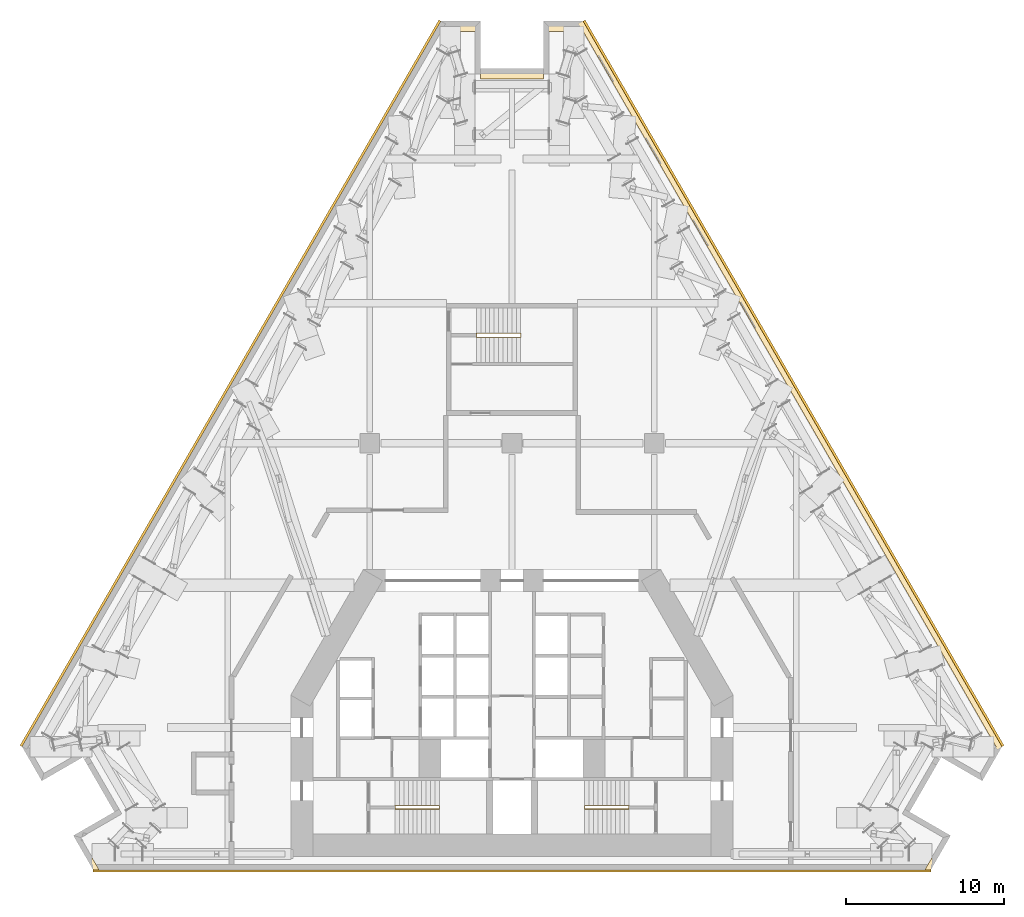
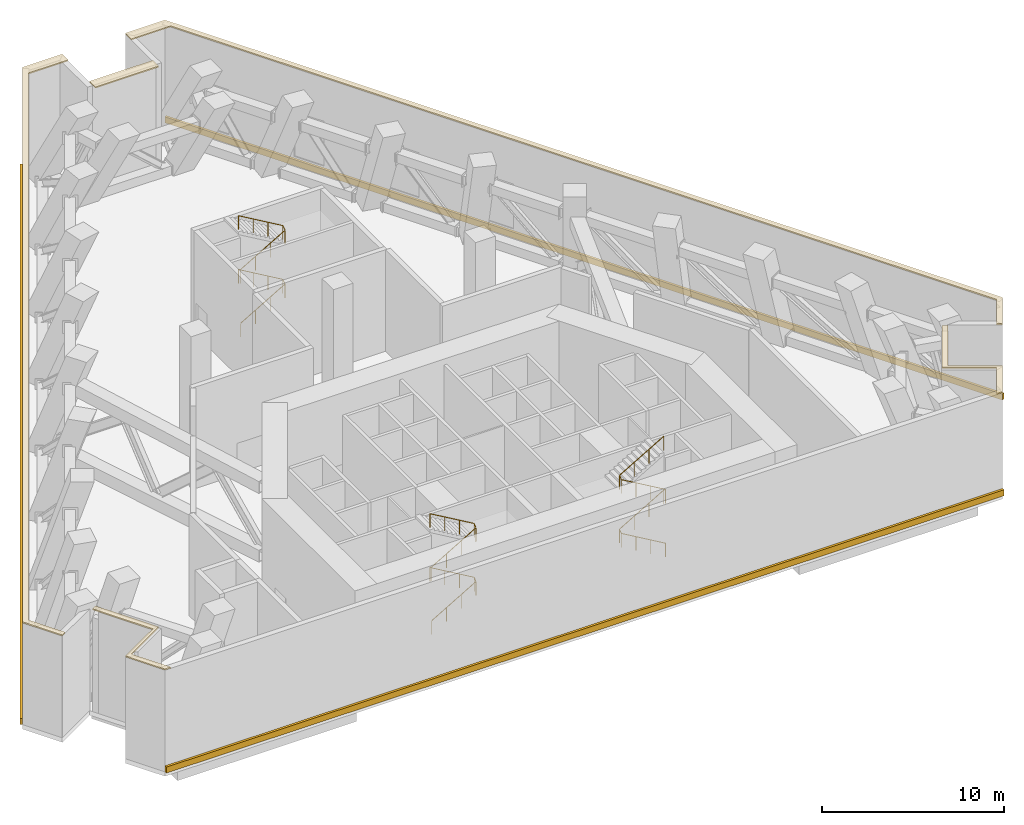
# One storey, part 12 of 12: 8 coverings, 3 railings.
"""IFC4 building model written with IfcOpenShell, lengths in metres."""

from ifc_helpers import new_model, si_unit, direction, frame, origin, origin_2d, place, context, subcontext, project, spatial, polyline, circle, outline, extrude, material, layer, layer_set, type_object, element, save


model = new_model("IFC4")

# Units and contexts
model_context = context("Model", 3, precision=1e-05, world=origin(), true_north=direction((0.0, 1.0)))
body_context = subcontext(model_context, "Body", "Model", "MODEL_VIEW")
ifc_project = project(units=[si_unit("LENGTHUNIT", "METRE"), si_unit("AREAUNIT", "SQUARE_METRE"), si_unit("VOLUMEUNIT", "CUBIC_METRE"), si_unit("PLANEANGLEUNIT", "RADIAN"), si_unit("MASSUNIT", "GRAM", prefix="KILO")], contexts=[model_context])

# Site, building, storey
site_placement = place(None, origin())
site = spatial("IfcSite", under=ifc_project, at=site_placement, CompositionType="ELEMENT")
building_placement = place(site_placement, origin())
building = spatial("IfcBuilding", under=site, at=building_placement, Name="Fogline Exchange Tower", CompositionType="ELEMENT")
storey_placement = place(building_placement, frame((0.0, 0.0, 88.89990234375)))
storey = spatial("IfcBuildingStorey", under=building, at=storey_placement, Name="L19", CompositionType="ELEMENT", Elevation=88.89990234375)

# Coverings
ifc_material_1 = material(Name="Granite", Category="masonry")
ifc_layer = layer(ifc_material_1, 0.080078125)
ifc_layer_set = layer_set([ifc_layer], Name="CP1")
covering_type_1 = type_object("IfcCoveringType", Name="CP1", PredefinedType="USERDEFINED", material=ifc_layer_set)
covering_1_placement = place(storey_placement, frame((0.0, 0.0, 6.800048828125)))
element("IfcCovering", 1, at=covering_1_placement, inside=storey, type_object=covering_type_1, Name="Ledge coping L19", ObjectType="COPING", PredefinedType="USERDEFINED", context=body_context, shape_type="SweptSolid", body=[
    extrude(outline(polyline([(-29.760498046875, 5.629150390625), (-29.481201171875, 5.790283203125), (-30.637939453125, 7.794189453125), (-4.5, 53.066650390625), (-2.0, 53.066650390625), (-2.0, 53.711669921875), (-4.5, 53.711669921875), (-31.010498046875, 7.794189453125), (-29.760498046875, 5.629150390625)])), origin(), (0.0, 0.0, 1.0), 0.080078125),
])
covering_2_placement = place(storey_placement, frame((0.0, 0.0, 6.800048828125)))
element("IfcCovering", 2, at=covering_2_placement, inside=storey, type_object=covering_type_1, Name="Ledge coping L19", ObjectType="COPING", PredefinedType="USERDEFINED", context=body_context, shape_type="SweptSolid", body=[
    extrude(outline(polyline([(-26.510498046875, 0.0), (-26.137939453125, 0.0), (-27.387939453125, 2.1650390625), (-24.7900390625, 3.6650390625), (-26.7900390625, 7.129150390625), (-27.0693359375, 6.968017578125), (-25.162353515625, 3.6650390625), (-27.760498046875, 2.1650390625), (-26.510498046875, 0.0)])), origin(), (0.0, 0.0, 1.0), 0.080078125),
])
covering_3_placement = place(storey_placement, frame((0.0, 0.0, 6.800048828125)))
element("IfcCovering", 3, at=covering_3_placement, inside=storey, type_object=covering_type_1, Name="Ledge coping L19", ObjectType="COPING", PredefinedType="USERDEFINED", context=body_context, shape_type="SweptSolid", body=[
    extrude(outline(polyline([(25.162353515625, 3.6650390625), (27.0693359375, 6.968017578125), (26.7900390625, 7.129150390625), (24.7900390625, 3.6650390625), (27.387939453125, 2.1650390625), (26.137939453125, 0.0), (26.510498046875, 0.0), (27.760498046875, 2.1650390625), (25.162353515625, 3.6650390625)])), origin(), (0.0, 0.0, 1.0), 0.080078125),
])
covering_4_placement = place(storey_placement, frame((0.0, 0.0, 6.800048828125)))
element("IfcCovering", 4, at=covering_4_placement, inside=storey, type_object=covering_type_1, Name="Ledge coping L19", ObjectType="COPING", PredefinedType="USERDEFINED", context=body_context, shape_type="SweptSolid", body=[
    extrude(outline(polyline([(2.0, 53.711669921875), (2.0, 53.066650390625), (4.5, 53.066650390625), (30.637939453125, 7.794189453125), (29.481201171875, 5.790283203125), (29.760498046875, 5.629150390625), (31.010498046875, 7.794189453125), (4.5, 53.711669921875), (2.0, 53.711669921875)])), origin(), (0.0, 0.0, 1.0), 0.080078125),
])
covering_5_placement = place(storey_placement, frame((0.0, 0.0, 6.800048828125)))
element("IfcCovering", 5, at=covering_5_placement, inside=storey, type_object=covering_type_1, Name="Ledge coping L19", ObjectType="COPING", PredefinedType="USERDEFINED", context=body_context, shape_type="SweptSolid", body=[
    extrude(outline(polyline([(2.0, 50.711669921875), (-2.0, 50.711669921875), (-2.0, 50.066650390625), (2.0, 50.066650390625), (2.0, 50.711669921875)])), origin(), (0.0, 0.0, 1.0), 0.080078125),
])

# Railings
ifc_material_2 = material(Name="Steel Q235B", Category="steel")
railing_type = type_object("IfcRailingType", Name="RL-HR", PredefinedType="HANDRAIL", material=ifc_material_2)
railing_1_placement = place(storey_placement, frame((-7.39990234375, 3.85009765625, 0.163818359375)))
element("IfcRailing", 6, at=railing_1_placement, inside=storey, type_object=railing_type, Name="Handrail ST1", PredefinedType="HANDRAIL", context=body_context, shape_type="SweptSolid", body=[
    extrude(circle(Radius=0.02392578125, at=origin_2d()), frame((0.0, 0.0, 0.92578125), z_axis=(0.863374499697, 0.0, 0.504563646405), x_axis=(0.0, 1.0, 0.0)), (0.0, 0.0, 1.0), 3.242919921875),
    extrude(circle(Radius=0.02392578125, at=origin_2d()), frame((2.7998046875, 0.0, 2.56201171875), z_axis=(0.0, 0.773999403868, 0.633186325509), x_axis=(-1.0, 0.0, 0.0)), (0.0, 0.0, 1.0), 0.25830078125),
    extrude(circle(Radius=0.02392578125, at=origin_2d()), frame((2.7998046875, 0.199951171875, 2.7255859375), z_axis=(-0.863341702679, 0.0, 0.504619762213), x_axis=(0.0, -1.0, 0.0)), (0.0, 0.0, 1.0), 3.242919921875),
    extrude(circle(Radius=0.02392578125, at=origin_2d()), frame((0.0, 0.199951171875, 4.3623046875), z_axis=(0.0, -0.773999403868, 0.633186325509), x_axis=(1.0, 0.0, 0.0)), (0.0, 0.0, 1.0), 0.25830078125),
    extrude(circle(Radius=0.02392578125, at=origin_2d()), frame((0.0, 0.0, 4.52587890625), z_axis=(0.863341702679, 0.0, 0.504619762213), x_axis=(0.0, 1.0, 0.0)), (0.0, 0.0, 1.0), 3.242919921875),
    extrude(circle(Radius=0.02392578125, at=origin_2d()), frame((2.7998046875, 0.0, 6.162109375), z_axis=(0.0, 0.773999403868, 0.633186325509), x_axis=(-1.0, 0.0, 0.0)), (0.0, 0.0, 1.0), 0.25830078125),
    extrude(circle(Radius=0.02392578125, at=origin_2d()), frame((2.7998046875, 0.199951171875, 6.32568359375), z_axis=(-0.863341702679, 0.0, 0.504619762213), x_axis=(0.0, -1.0, 0.0)), (0.0, 0.0, 1.0), 3.242919921875),
    extrude(circle(Radius=0.02099609375, at=origin_2d()), origin(), (0.0, 0.0, 1.0), 0.90185546875),
    extrude(circle(Radius=0.02099609375, at=origin_2d()), frame((0.933349609375, 0.0, 0.54541015625)), (0.0, 0.0, 1.0), 0.90185546875),
    extrude(circle(Radius=0.02099609375, at=origin_2d()), frame((1.866455078125, 0.0, 1.0908203125)), (0.0, 0.0, 1.0), 0.90185546875),
    extrude(circle(Radius=0.02099609375, at=origin_2d()), frame((2.7998046875, 0.0, 1.63623046875)), (0.0, 0.0, 1.0), 0.90185546875),
    extrude(circle(Radius=0.02099609375, at=origin_2d()), frame((2.7998046875, 0.199951171875, 1.7998046875)), (0.0, 0.0, 1.0), 0.90185546875),
    extrude(circle(Radius=0.02099609375, at=origin_2d()), frame((1.866455078125, 0.199951171875, 2.34521484375)), (0.0, 0.0, 1.0), 0.90185546875),
    extrude(circle(Radius=0.02099609375, at=origin_2d()), frame((0.933349609375, 0.199951171875, 2.890869140625)), (0.0, 0.0, 1.0), 0.90185546875),
    extrude(circle(Radius=0.02099609375, at=origin_2d()), frame((0.0, 0.199951171875, 3.436279296875)), (0.0, 0.0, 1.0), 0.90185546875),
    extrude(circle(Radius=0.02099609375, at=origin_2d()), frame((0.0, 0.0, 3.599853515625)), (0.0, 0.0, 1.0), 0.90185546875),
    extrude(circle(Radius=0.02099609375, at=origin_2d()), frame((0.933349609375, 0.0, 4.145263671875)), (0.0, 0.0, 1.0), 0.90185546875),
    extrude(circle(Radius=0.02099609375, at=origin_2d()), frame((1.866455078125, 0.0, 4.69091796875)), (0.0, 0.0, 1.0), 0.90185546875),
    extrude(circle(Radius=0.02099609375, at=origin_2d()), frame((2.7998046875, 0.0, 5.236328125)), (0.0, 0.0, 1.0), 0.90185546875),
    extrude(circle(Radius=0.02099609375, at=origin_2d()), frame((2.7998046875, 0.199951171875, 5.39990234375)), (0.0, 0.0, 1.0), 0.90185546875),
    extrude(circle(Radius=0.02099609375, at=origin_2d()), frame((1.866455078125, 0.199951171875, 5.9453125)), (0.0, 0.0, 1.0), 0.90185546875),
    extrude(circle(Radius=0.02099609375, at=origin_2d()), frame((0.933349609375, 0.199951171875, 6.490966796875)), (0.0, 0.0, 1.0), 0.90185546875),
    extrude(circle(Radius=0.02099609375, at=origin_2d()), frame((0.0, 0.199951171875, 7.036376953125)), (0.0, 0.0, 1.0), 0.90185546875),
])
railing_2_placement = place(storey_placement, frame((7.39990234375, 3.85009765625, 0.163818359375)))
element("IfcRailing", 7, at=railing_2_placement, inside=storey, type_object=railing_type, Name="Handrail ST2", PredefinedType="HANDRAIL", context=body_context, shape_type="SweptSolid", body=[
    extrude(circle(Radius=0.02392578125, at=origin_2d()), frame((0.0, 0.0, 0.92578125), z_axis=(-0.863374499697, 0.0, 0.504563646405), x_axis=(0.0, -1.0, 0.0)), (0.0, 0.0, 1.0), 3.242919921875),
    extrude(circle(Radius=0.02392578125, at=origin_2d()), frame((-2.7998046875, 0.0, 2.56201171875), z_axis=(0.0, 0.773999403868, 0.633186325509), x_axis=(-1.0, 0.0, 0.0)), (0.0, 0.0, 1.0), 0.25830078125),
    extrude(circle(Radius=0.02392578125, at=origin_2d()), frame((-2.7998046875, 0.199951171875, 2.7255859375), z_axis=(0.863341702679, 0.0, 0.504619762213), x_axis=(0.0, 1.0, 0.0)), (0.0, 0.0, 1.0), 3.242919921875),
    extrude(circle(Radius=0.02392578125, at=origin_2d()), frame((0.0, 0.199951171875, 4.3623046875), z_axis=(0.0, -0.773999403868, 0.633186325509), x_axis=(1.0, 0.0, 0.0)), (0.0, 0.0, 1.0), 0.25830078125),
    extrude(circle(Radius=0.02392578125, at=origin_2d()), frame((0.0, 0.0, 4.52587890625), z_axis=(-0.863341702679, 0.0, 0.504619762213), x_axis=(0.0, -1.0, 0.0)), (0.0, 0.0, 1.0), 3.242919921875),
    extrude(circle(Radius=0.02392578125, at=origin_2d()), frame((-2.7998046875, 0.0, 6.162109375), z_axis=(0.0, 0.773999403868, 0.633186325509), x_axis=(-1.0, 0.0, 0.0)), (0.0, 0.0, 1.0), 0.25830078125),
    extrude(circle(Radius=0.02392578125, at=origin_2d()), frame((-2.7998046875, 0.199951171875, 6.32568359375), z_axis=(0.863341702679, 0.0, 0.504619762213), x_axis=(0.0, 1.0, 0.0)), (0.0, 0.0, 1.0), 3.242919921875),
    extrude(circle(Radius=0.02099609375, at=origin_2d()), origin(), (0.0, 0.0, 1.0), 0.90185546875),
    extrude(circle(Radius=0.02099609375, at=origin_2d()), frame((-0.933349609375, 0.0, 0.54541015625)), (0.0, 0.0, 1.0), 0.90185546875),
    extrude(circle(Radius=0.02099609375, at=origin_2d()), frame((-1.866455078125, 0.0, 1.0908203125)), (0.0, 0.0, 1.0), 0.90185546875),
    extrude(circle(Radius=0.02099609375, at=origin_2d()), frame((-2.7998046875, 0.0, 1.63623046875)), (0.0, 0.0, 1.0), 0.90185546875),
    extrude(circle(Radius=0.02099609375, at=origin_2d()), frame((-2.7998046875, 0.199951171875, 1.7998046875)), (0.0, 0.0, 1.0), 0.90185546875),
    extrude(circle(Radius=0.02099609375, at=origin_2d()), frame((-1.866455078125, 0.199951171875, 2.34521484375)), (0.0, 0.0, 1.0), 0.90185546875),
    extrude(circle(Radius=0.02099609375, at=origin_2d()), frame((-0.933349609375, 0.199951171875, 2.890869140625)), (0.0, 0.0, 1.0), 0.90185546875),
    extrude(circle(Radius=0.02099609375, at=origin_2d()), frame((0.0, 0.199951171875, 3.436279296875)), (0.0, 0.0, 1.0), 0.90185546875),
    extrude(circle(Radius=0.02099609375, at=origin_2d()), frame((0.0, 0.0, 3.599853515625)), (0.0, 0.0, 1.0), 0.90185546875),
    extrude(circle(Radius=0.02099609375, at=origin_2d()), frame((-0.933349609375, 0.0, 4.145263671875)), (0.0, 0.0, 1.0), 0.90185546875),
    extrude(circle(Radius=0.02099609375, at=origin_2d()), frame((-1.866455078125, 0.0, 4.69091796875)), (0.0, 0.0, 1.0), 0.90185546875),
    extrude(circle(Radius=0.02099609375, at=origin_2d()), frame((-2.7998046875, 0.0, 5.236328125)), (0.0, 0.0, 1.0), 0.90185546875),
    extrude(circle(Radius=0.02099609375, at=origin_2d()), frame((-2.7998046875, 0.199951171875, 5.39990234375)), (0.0, 0.0, 1.0), 0.90185546875),
    extrude(circle(Radius=0.02099609375, at=origin_2d()), frame((-1.866455078125, 0.199951171875, 5.9453125)), (0.0, 0.0, 1.0), 0.90185546875),
    extrude(circle(Radius=0.02099609375, at=origin_2d()), frame((-0.933349609375, 0.199951171875, 6.490966796875)), (0.0, 0.0, 1.0), 0.90185546875),
    extrude(circle(Radius=0.02099609375, at=origin_2d()), frame((0.0, 0.199951171875, 7.036376953125)), (0.0, 0.0, 1.0), 0.90185546875),
])
railing_3_placement = place(storey_placement, frame((-2.25, 33.70703125, 0.163818359375)))
element("IfcRailing", 8, at=railing_3_placement, inside=storey, type_object=railing_type, Name="Handrail ST3", PredefinedType="HANDRAIL", context=body_context, shape_type="SweptSolid", body=[
    extrude(circle(Radius=0.02392578125, at=origin_2d()), frame((0.0, 0.0, 0.92578125), z_axis=(0.863393664356, 0.0, 0.504530851732), x_axis=(0.0, 1.0, 0.0)), (0.0, 0.0, 1.0), 3.2431640625),
    extrude(circle(Radius=0.02392578125, at=origin_2d()), frame((2.800048828125, 0.0, 2.56201171875), z_axis=(0.0, 0.836796820337, 0.547513544557), x_axis=(-1.0, 0.0, 0.0)), (0.0, 0.0, 1.0), 0.298828125),
    extrude(circle(Radius=0.02392578125, at=origin_2d()), frame((2.800048828125, 0.25, 2.7255859375), z_axis=(-0.863360870873, 0.0, 0.504586966384), x_axis=(0.0, -1.0, 0.0)), (0.0, 0.0, 1.0), 3.2431640625),
    extrude(circle(Radius=0.02392578125, at=origin_2d()), frame((0.0, 0.25, 4.3623046875), z_axis=(0.0, -0.836796820337, 0.547513544557), x_axis=(1.0, 0.0, 0.0)), (0.0, 0.0, 1.0), 0.298828125),
    extrude(circle(Radius=0.02392578125, at=origin_2d()), frame((0.0, 0.0, 4.52587890625), z_axis=(0.863360870873, 0.0, 0.504586966384), x_axis=(0.0, 1.0, 0.0)), (0.0, 0.0, 1.0), 3.2431640625),
    extrude(circle(Radius=0.02392578125, at=origin_2d()), frame((2.800048828125, 0.0, 6.162109375), z_axis=(0.0, 0.836796820337, 0.547513544557), x_axis=(-1.0, 0.0, 0.0)), (0.0, 0.0, 1.0), 0.298828125),
    extrude(circle(Radius=0.02392578125, at=origin_2d()), frame((2.800048828125, 0.25, 6.32568359375), z_axis=(-0.863360870873, 0.0, 0.504586966384), x_axis=(0.0, -1.0, 0.0)), (0.0, 0.0, 1.0), 3.2431640625),
    extrude(circle(Radius=0.02099609375, at=origin_2d()), origin(), (0.0, 0.0, 1.0), 0.90185546875),
    extrude(circle(Radius=0.02099609375, at=origin_2d()), frame((0.933349609375, 0.0, 0.54541015625)), (0.0, 0.0, 1.0), 0.90185546875),
    extrude(circle(Radius=0.02099609375, at=origin_2d()), frame((1.86669921875, 0.0, 1.0908203125)), (0.0, 0.0, 1.0), 0.90185546875),
    extrude(circle(Radius=0.02099609375, at=origin_2d()), frame((2.800048828125, 0.0, 1.63623046875)), (0.0, 0.0, 1.0), 0.90185546875),
    extrude(circle(Radius=0.02099609375, at=origin_2d()), frame((2.800048828125, 0.25, 1.7998046875)), (0.0, 0.0, 1.0), 0.90185546875),
    extrude(circle(Radius=0.02099609375, at=origin_2d()), frame((1.86669921875, 0.25, 2.34521484375)), (0.0, 0.0, 1.0), 0.90185546875),
    extrude(circle(Radius=0.02099609375, at=origin_2d()), frame((0.933349609375, 0.25, 2.890869140625)), (0.0, 0.0, 1.0), 0.90185546875),
    extrude(circle(Radius=0.02099609375, at=origin_2d()), frame((0.0, 0.25, 3.436279296875)), (0.0, 0.0, 1.0), 0.90185546875),
    extrude(circle(Radius=0.02099609375, at=origin_2d()), frame((0.0, 0.0, 3.599853515625)), (0.0, 0.0, 1.0), 0.90185546875),
    extrude(circle(Radius=0.02099609375, at=origin_2d()), frame((0.933349609375, 0.0, 4.145263671875)), (0.0, 0.0, 1.0), 0.90185546875),
    extrude(circle(Radius=0.02099609375, at=origin_2d()), frame((1.86669921875, 0.0, 4.69091796875)), (0.0, 0.0, 1.0), 0.90185546875),
    extrude(circle(Radius=0.02099609375, at=origin_2d()), frame((2.800048828125, 0.0, 5.236328125)), (0.0, 0.0, 1.0), 0.90185546875),
    extrude(circle(Radius=0.02099609375, at=origin_2d()), frame((2.800048828125, 0.25, 5.39990234375)), (0.0, 0.0, 1.0), 0.90185546875),
    extrude(circle(Radius=0.02099609375, at=origin_2d()), frame((1.86669921875, 0.25, 5.9453125)), (0.0, 0.0, 1.0), 0.90185546875),
    extrude(circle(Radius=0.02099609375, at=origin_2d()), frame((0.933349609375, 0.25, 6.490966796875)), (0.0, 0.0, 1.0), 0.90185546875),
    extrude(circle(Radius=0.02099609375, at=origin_2d()), frame((0.0, 0.25, 7.036376953125)), (0.0, 0.0, 1.0), 0.90185546875),
])

# Coverings
ifc_material_3 = material(Name="Brick masonry", Category="masonry")
covering_type_2 = type_object("IfcCoveringType", Name="SB2", PredefinedType="CLADDING", material=ifc_material_3)
covering_6_placement = place(storey_placement, origin())
element("IfcCovering", 9, at=covering_6_placement, inside=storey, type_object=covering_type_2, Name="Stringcourse band L19 S", PredefinedType="CLADDING", context=body_context, shape_type="SweptSolid", body=[
    extrude(outline(polyline([(-26.510498046875, 0.0), (-26.510498046875, -0.14990234375), (26.510498046875, -0.14990234375), (26.510498046875, 0.0), (-26.510498046875, 0.0)])), origin(), (0.0, 0.0, 1.0), 0.400146484375),
])
covering_7_placement = place(storey_placement, origin())
element("IfcCovering", 10, at=covering_7_placement, inside=storey, type_object=covering_type_2, Name="Stringcourse band L19 E", PredefinedType="CLADDING", context=body_context, shape_type="SweptSolid", body=[
    extrude(outline(polyline([(31.010498046875, 7.794189453125), (31.140380859375, 7.869140625), (4.6298828125, 53.78662109375), (4.5, 53.711669921875), (31.010498046875, 7.794189453125)])), origin(), (0.0, 0.0, 1.0), 0.400146484375),
])
covering_8_placement = place(storey_placement, origin())
element("IfcCovering", 11, at=covering_8_placement, inside=storey, type_object=covering_type_2, Name="Stringcourse band L19 W", PredefinedType="CLADDING", context=body_context, shape_type="SweptSolid", body=[
    extrude(outline(polyline([(-4.5, 53.711669921875), (-4.6298828125, 53.78662109375), (-31.140380859375, 7.869140625), (-31.010498046875, 7.794189453125), (-4.5, 53.711669921875)])), origin(), (0.0, 0.0, 1.0), 0.400146484375),
])

save(model, "model.ifc")
